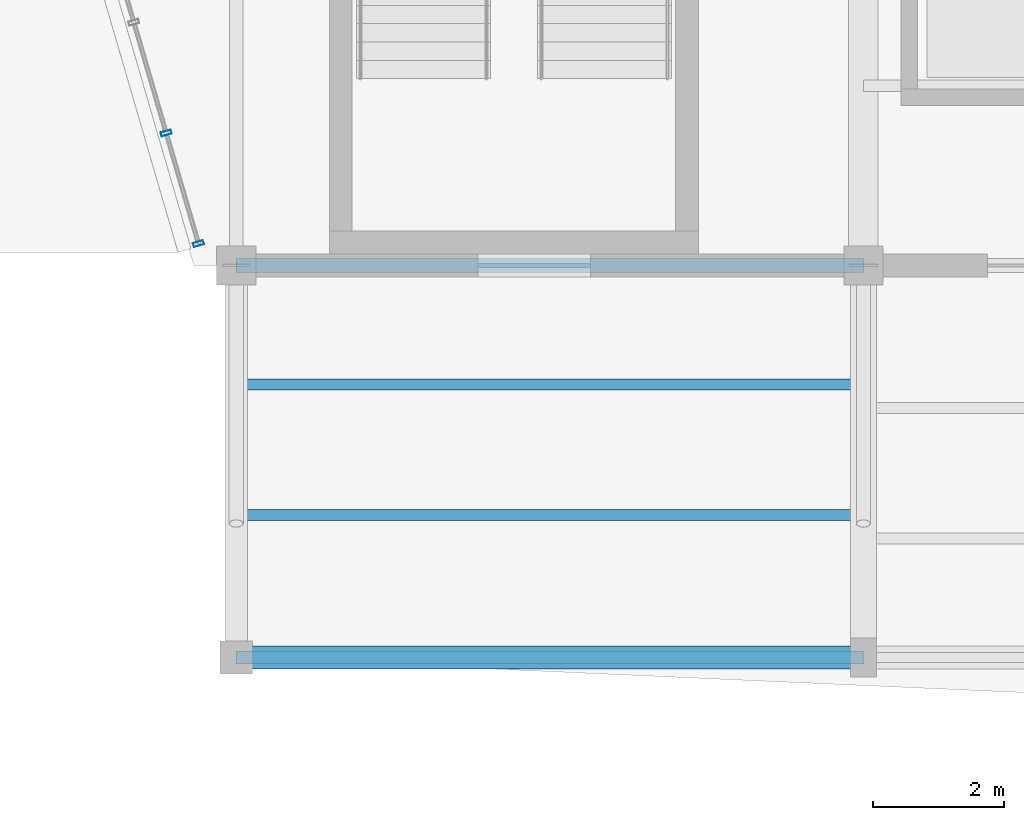
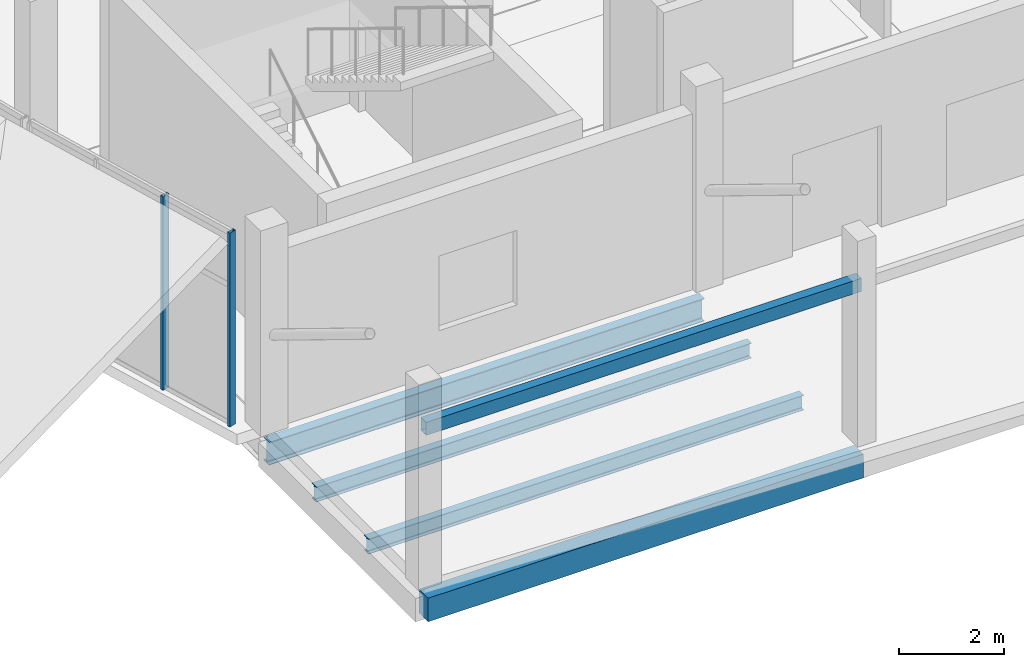
# One storey, part 16 of 116: 5 beams, 2 members, 1 element without a shape of its own.
"""IFC4 building model written with IfcOpenShell, lengths in metres."""

from ifc_helpers import new_model, si_unit, direction, frame, origin, origin_2d, place, context, subcontext, project, spatial, rectangle, hollow_rectangle, i_section, extrude, material, layer, layer_set, material_profile, profile_set, type_object, element, aggregate, save


model = new_model("IFC4")

# Units and contexts
model_context = context("Model", 3, precision=1e-05, world=origin(), true_north=direction((0.0, 1.0)))
body_context = subcontext(model_context, "Body", "Model", "MODEL_VIEW")
ifc_project = project(units=[si_unit("LENGTHUNIT", "METRE"), si_unit("AREAUNIT", "SQUARE_METRE"), si_unit("VOLUMEUNIT", "CUBIC_METRE"), si_unit("PLANEANGLEUNIT", "RADIAN"), si_unit("MASSUNIT", "GRAM", prefix="KILO")], contexts=[model_context])

# Site, building, storey
site_placement = place(None, origin())
site = spatial("IfcSite", under=ifc_project, at=site_placement, CompositionType="ELEMENT")
building_placement = place(site_placement, origin())
building = spatial("IfcBuilding", under=site, at=building_placement, Name="Chalmorin Arch Market", CompositionType="ELEMENT")
storey_placement = place(building_placement, origin())
storey = spatial("IfcBuildingStorey", under=building, at=storey_placement, Name="L00", CompositionType="ELEMENT", Elevation=0.0)

# Curtain wall, members
ifc_material_1 = material(Name="Aluminium 6063-T6", Category="aluminium")
ifc_layer = layer(ifc_material_1, 0.159912109375)
ifc_layer_set = layer_set([ifc_layer], Name="Aluminium 6063-T6")
curtain_wall_type = type_object("IfcCurtainWallType", Name="RiverfrontStorefrontCurtainWall-CW2-5290x4520", PredefinedType="NOTDEFINED", material=ifc_layer_set)
curtain_wall_placement = place(storey_placement, origin())
curtain_wall = element("IfcCurtainWall", 1, at=curtain_wall_placement, inside=storey, type_object=curtain_wall_type, Name="CW-02-045", PredefinedType="NOTDEFINED")
ifc_material_profile_1 = material_profile(ifc_material_1, hollow_rectangle(XDim=0.06494140625, YDim=0.159912109375, WallThickness=0.00390625, at=origin_2d()), Name="ALU65X160X4")
ifc_profile_set_1 = profile_set([ifc_material_profile_1], Name="Aluminium 6063-T6")
member_type = type_object("IfcMemberType", Name="CurtainWallMullion-65x160", PredefinedType="MULLION", material=ifc_profile_set_1)
member_1_placement = place(storey_placement, frame((-0.577392578125, 6.33349609375, 0.0), z_axis=(0.0, 0.0, 1.0), x_axis=(-0.275637355817, 0.961261695938, 0.0)))
member_1 = element("IfcMember", 2, at=member_1_placement, type_object=member_type, Name="ML-045-01", PredefinedType="MULLION", context=body_context, shape_type="SweptSolid", body=[
    extrude(hollow_rectangle(XDim=0.06494140625, YDim=0.159912109375, WallThickness=0.00390625, at=origin_2d()), origin(), (0.0, 0.0, 1.0), 4.52001953125),
])
member_2_placement = place(storey_placement, frame((-1.072265625, 8.02685546875, 0.0), z_axis=(0.0, 0.0, 1.0), x_axis=(-0.275637355817, 0.961261695938, 0.0)))
member_2 = element("IfcMember", 3, at=member_2_placement, type_object=member_type, Name="ML-045-02", PredefinedType="MULLION", context=body_context, shape_type="SweptSolid", body=[
    extrude(hollow_rectangle(XDim=0.06494140625, YDim=0.159912109375, WallThickness=0.00390625, at=origin_2d()), origin(), (0.0, 0.0, 1.0), 4.52001953125),
])
aggregate(curtain_wall, [member_1, member_2])

# Beams
ifc_material_2 = material(Name="Steel A500 Grade C", Category="steel")
ifc_material_profile_2 = material_profile(ifc_material_2, hollow_rectangle(XDim=0.203125, YDim=0.3046875, WallThickness=0.01171875, at=origin_2d()), Name="HSS12X8X1/2")
ifc_profile_set_2 = profile_set([ifc_material_profile_2], Name="Steel A500 Grade C")
beam_type_1 = type_object("IfcBeamType", Name="OpeningLintelBeam-HSS12X8", PredefinedType="LINTEL", material=ifc_profile_set_2)
beam_1_placement = place(storey_placement, frame((0.0, 0.0, 3.60009765625), z_axis=(1.0, 0.0, 0.0), x_axis=(0.0, 1.0, 0.0)))
element("IfcBeam", 4, at=beam_1_placement, inside=storey, type_object=beam_type_1, Name="LN-02-1756", PredefinedType="LINTEL", context=body_context, shape_type="SweptSolid", body=[
    extrude(hollow_rectangle(XDim=0.203125, YDim=0.3046875, WallThickness=0.01171875, at=origin_2d()), origin(), (0.0, 0.0, 1.0), 9.60009765625),
])
ifc_material_3 = material(Name="Steel A992 Grade 50", Category="steel")
ifc_material_profile_3 = material_profile(ifc_material_3, i_section(OverallWidth=0.208984375, OverallDepth=0.532958984375, WebThickness=0.01025390625, FlangeThickness=0.015625, FilletRadius=0.02197265625, at=origin_2d()), Name="W21X62")
ifc_profile_set_3 = profile_set([ifc_material_profile_3], Name="Steel A992 Grade 50")
beam_type_2 = type_object("IfcBeamType", Name="PerimeterSpandrelBeam-W21X62", PredefinedType="SPANDREL", material=ifc_profile_set_3)
beam_2_placement = place(storey_placement, frame((0.0, 6.0, -0.618408203125), z_axis=(1.0, 0.0, 0.0), x_axis=(0.0, 1.0, 0.0)))
element("IfcBeam", 5, at=beam_2_placement, inside=storey, type_object=beam_type_2, Name="SP-W21-0201", PredefinedType="SPANDREL", context=body_context, shape_type="SweptSolid", body=[
    extrude(i_section(OverallWidth=0.208984375, OverallDepth=0.532958984375, WebThickness=0.01025390625, FlangeThickness=0.015625, FilletRadius=0.02197265625, at=origin_2d()), origin(), (0.0, 0.0, 1.0), 9.60009765625),
])
ifc_material_profile_4 = material_profile(ifc_material_3, i_section(OverallWidth=0.1708984375, OverallDepth=0.35107421875, WebThickness=0.0068359375, FlangeThickness=0.009765625, FilletRadius=0.014892578125, at=origin_2d()), Name="W14X30")
ifc_profile_set_4 = profile_set([ifc_material_profile_4], Name="Steel A992 Grade 50")
beam_type_3 = type_object("IfcBeamType", Name="SecondaryFloorJoist-W14X30", PredefinedType="JOIST", material=ifc_profile_set_4)
for number, where, z_axis, x_axis, name in (
    (6, (0.0, 2.179931640625, -0.4775390625), (1.0, 0.0, 0.0), (0.0, 1.0, 0.0), "BJ-W14-0574"),
    (7, (0.0, 4.179931640625, -0.4775390625), (1.0, 0.0, 0.0), (0.0, 1.0, 0.0), "BJ-W14-0575"),
):
    element("IfcBeam", number, at=place(storey_placement, frame(where, z_axis=z_axis, x_axis=x_axis)), inside=storey, type_object=beam_type_3, Name=name, PredefinedType="JOIST", context=body_context, shape_type="SweptSolid", body=[
        extrude(i_section(OverallWidth=0.1708984375, OverallDepth=0.35107421875, WebThickness=0.0068359375, FlangeThickness=0.009765625, FilletRadius=0.014892578125, at=origin_2d()), origin(), (0.0, 0.0, 1.0), 9.60009765625),
    ])
ifc_material_4 = material(Name="Concrete C40/50", Category="concrete")
ifc_material_profile_5 = material_profile(ifc_material_4, rectangle(XDim=0.35009765625, YDim=0.550048828125, at=origin_2d()), Name="RC350X550")
ifc_profile_set_5 = profile_set([ifc_material_profile_5], Name="Concrete C40/50")
beam_type_4 = type_object("IfcBeamType", Name="TerraceEdgeBeam-350x550", PredefinedType="SPANDREL", material=ifc_profile_set_5)
beam_3_placement = place(storey_placement, frame((0.0, 0.0, -0.576904296875), z_axis=(1.0, 0.0, 0.0), x_axis=(0.0, 1.0, 0.0)))
element("IfcBeam", 8, at=beam_3_placement, inside=storey, type_object=beam_type_4, Name="SP-RC1-0546", PredefinedType="SPANDREL", context=body_context, shape_type="SweptSolid", body=[
    extrude(rectangle(XDim=0.35009765625, YDim=0.550048828125, at=origin_2d()), origin(), (0.0, 0.0, 1.0), 9.60009765625),
])

save(model, "model.ifc")
